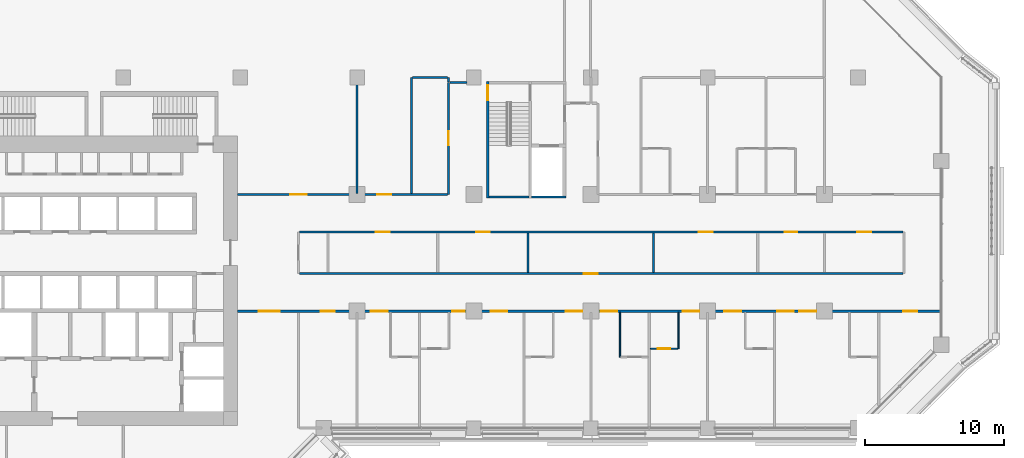
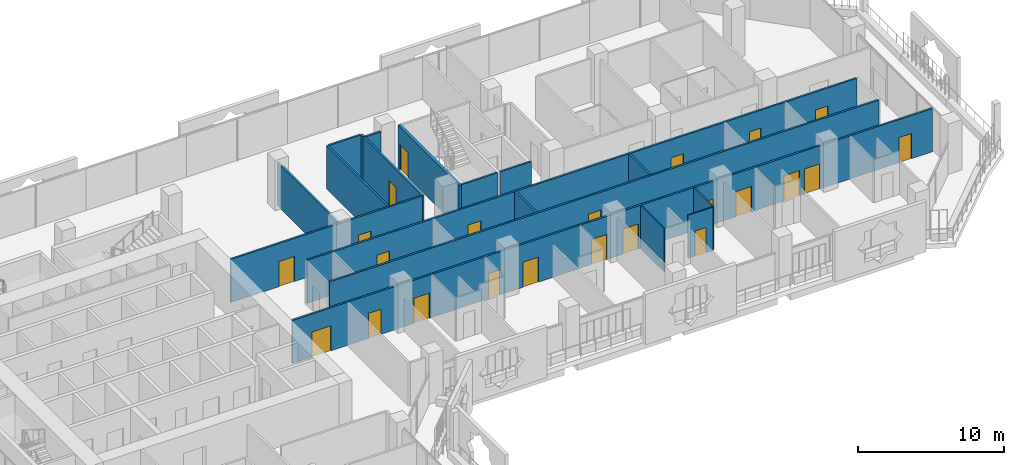
# One storey, part 16 of 25: 23 doors, 18 walls, 23 openings.
"""IFC4 building model written with IfcOpenShell, lengths in metres."""

from ifc_helpers import new_model, si_unit, direction, frame, frame_2d, origin, place, context, subcontext, project, spatial, rectangle, extrude, material, layer, layer_set, type_object, element, fill, save


model = new_model("IFC4")

# Units and contexts
model_context = context("Model", 3, precision=1e-05, world=origin(), true_north=direction((0.0, 1.0)))
body_context = subcontext(model_context, "Body", "Model", "MODEL_VIEW")
ifc_project = project(units=[si_unit("LENGTHUNIT", "METRE"), si_unit("AREAUNIT", "SQUARE_METRE"), si_unit("VOLUMEUNIT", "CUBIC_METRE"), si_unit("PLANEANGLEUNIT", "RADIAN"), si_unit("MASSUNIT", "GRAM", prefix="KILO")], contexts=[model_context])

# Site, building, storey
site_placement = place(None, origin())
site = spatial("IfcSite", under=ifc_project, at=site_placement, CompositionType="ELEMENT")
building_placement = place(site_placement, origin())
building = spatial("IfcBuilding", under=site, at=building_placement, Name="Kawkab Arch Medical Tower", CompositionType="ELEMENT")
storey_placement = place(building_placement, frame((0.0, 0.0, 132.39990234375)))
storey = spatial("IfcBuildingStorey", under=building, at=storey_placement, Name="L30", CompositionType="ELEMENT", Elevation=132.39990234375)

# Wall, opening, door
ifc_material_1 = material(Name="Gypsum board partition on steel studs", Category="steel")
ifc_layer_1 = layer(ifc_material_1, 0.10009765625)
ifc_layer_set_1 = layer_set([ifc_layer_1], Name="Gypsum board partition on steel studs")
wall_type_1 = type_object("IfcWallType", Name="Partition 100", PredefinedType="PARTITIONING", material=ifc_layer_set_1)
wall_1_placement = place(storey_placement, frame((54.675048828125, -19.5, 0.0), z_axis=(0.0, 0.0, 1.0), x_axis=(1.0, 0.0, 0.0)))
wall_1 = element("IfcWall", 1, at=wall_1_placement, inside=storey, type_object=wall_type_1, Name="Partition 100 w011", PredefinedType="PARTITIONING", context=body_context, shape_type="SweptSolid", body=[
    extrude(rectangle(XDim=1.974853515625, YDim=0.10009765625, at=frame_2d((0.9873046875, 0.0))), origin(), (0.0, 0.0, 1.0), 3.60009765625),
])
opening_1_placement = place(wall_1_placement, frame((0.52490234375, 0.0, 0.0)))
opening_1 = element("IfcOpeningElement", 2, at=opening_1_placement, cuts=wall_1, Name="Opening W25-013", PredefinedType="OPENING", context=body_context, shape_type="SweptSolid", body=[
    extrude(rectangle(XDim=0.89990234375, YDim=2.10009765625, at=frame_2d((0.449951171875, 1.050048828125))), frame((0.0, 0.06005859375, 0.0), z_axis=(0.0, -1.0, 0.0), x_axis=(1.0, 0.0, 0.0)), (0.0, 0.0, 1.0), 0.1201171875),
])
ifc_material_2 = material(Name="Timber door leaf", Category="wood")
door_type_1 = type_object("IfcDoorType", Name="Single door 900x2100", OperationType="NOTDEFINED", PredefinedType="DOOR", material=ifc_material_2)
door_1_placement = place(opening_1_placement, origin())
door_1 = element("IfcDoor", 3, at=door_1_placement, inside=storey, type_object=door_type_1, Name="Door W25-013", OperationType="SINGLE_SWING_LEFT", OverallHeight=2.10009765625, OverallWidth=0.89990234375, PredefinedType="DOOR", context=body_context, shape_type="SweptSolid", body=[
    extrude(rectangle(XDim=0.89990234375, YDim=2.10009765625, at=frame_2d((0.449951171875, 1.050048828125))), frame((0.0, 0.02490234375, 0.0), z_axis=(0.0, -1.0, 0.0), x_axis=(1.0, 0.0, 0.0)), (0.0, 0.0, 1.0), 0.050048828125),
])
fill(opening_1, door_1)

# Walls
wall_2_placement = place(storey_placement, frame((52.5, -20.10009765625, 0.0), z_axis=(0.0, 0.0, 1.0), x_axis=(0.0, 1.0, 0.0)))
element("IfcWall", 4, at=wall_2_placement, inside=storey, type_object=wall_type_1, Name="Partition 100 w021", PredefinedType="PARTITIONING", context=body_context, shape_type="SweptSolid", body=[
    extrude(rectangle(XDim=3.22509765625, YDim=0.10009765625, at=frame_2d((1.612548828125, 0.0))), origin(), (0.0, 0.0, 1.0), 3.60009765625),
])
wall_3_placement = place(storey_placement, frame((56.699951171875, -19.5, 0.0), z_axis=(0.0, 0.0, 1.0), x_axis=(0.0, 1.0, 0.0)))
element("IfcWall", 5, at=wall_3_placement, inside=storey, type_object=wall_type_1, Name="Partition 100 w023", PredefinedType="PARTITIONING", context=body_context, shape_type="SweptSolid", body=[
    extrude(rectangle(XDim=2.625, YDim=0.10009765625, at=frame_2d((1.3125, 0.0))), origin(), (0.0, 0.0, 1.0), 3.60009765625),
])

# Wall, openings, doors
ifc_material_3 = material(Name="Gypsum board partition on steel studs, mineral wool", Category="steel")
ifc_layer_2 = layer(ifc_material_3, 0.14990234375)
ifc_layer_set_2 = layer_set([ifc_layer_2], Name="Gypsum board partition on steel studs, mineral wool")
wall_type_2 = type_object("IfcWallType", Name="Partition 150", PredefinedType="PARTITIONING", material=ifc_layer_set_2)
wall_4_placement = place(storey_placement, frame((25.0, -16.800048828125, 0.0), z_axis=(0.0, 0.0, 1.0), x_axis=(1.0, 0.0, 0.0)))
wall_4 = element("IfcWall", 6, at=wall_4_placement, inside=storey, type_object=wall_type_2, Name="Partition 150 w043", PredefinedType="PARTITIONING", context=body_context, shape_type="SweptSolid", body=[
    extrude(rectangle(XDim=50.52001953125, YDim=0.14990234375, at=frame_2d((25.260009765625, 0.0))), origin(), (0.0, 0.0, 1.0), 3.60009765625),
])
opening_2_placement = place(wall_4_placement, frame((1.550048828125, 0.0, 0.0)))
opening_2 = element("IfcOpeningElement", 7, at=opening_2_placement, cuts=wall_4, Name="Opening W25-001", PredefinedType="OPENING", context=body_context, shape_type="SweptSolid", body=[
    extrude(rectangle(XDim=1.5, YDim=2.10009765625, at=frame_2d((0.75, 1.050048828125))), frame((0.0, 0.0849609375, 0.0), z_axis=(0.0, -1.0, 0.0), x_axis=(1.0, 0.0, 0.0)), (0.0, 0.0, 1.0), 0.169921875),
])
opening_3_placement = place(wall_4_placement, frame((6.0, 0.0, 0.0)))
opening_3 = element("IfcOpeningElement", 8, at=opening_3_placement, cuts=wall_4, Name="Opening W25-031", PredefinedType="OPENING", context=body_context, shape_type="SweptSolid", body=[
    extrude(rectangle(XDim=1.0, YDim=2.10009765625, at=frame_2d((0.5, 1.050048828125))), frame((0.0, 0.0849609375, 0.0), z_axis=(0.0, -1.0, 0.0), x_axis=(1.0, 0.0, 0.0)), (0.0, 0.0, 1.0), 0.169921875),
])
opening_4_placement = place(wall_4_placement, frame((9.60009765625, 0.0, 0.0)))
opening_4 = element("IfcOpeningElement", 9, at=opening_4_placement, cuts=wall_4, Name="Opening W25-043", PredefinedType="OPENING", context=body_context, shape_type="SweptSolid", body=[
    extrude(rectangle(XDim=1.199951171875, YDim=2.10009765625, at=frame_2d((0.60009765625, 1.050048828125))), frame((0.0, 0.0849609375, 0.0), z_axis=(0.0, -1.0, 0.0), x_axis=(1.0, 0.0, 0.0)), (0.0, 0.0, 1.0), 0.169921875),
])
opening_5_placement = place(wall_4_placement, frame((18.199951171875, 0.0, 0.0)))
opening_5 = element("IfcOpeningElement", 10, at=opening_5_placement, cuts=wall_4, Name="Opening W25-044", PredefinedType="OPENING", context=body_context, shape_type="SweptSolid", body=[
    extrude(rectangle(XDim=1.199951171875, YDim=2.10009765625, at=frame_2d((0.60009765625, 1.050048828125))), frame((0.0, 0.0849609375, 0.0), z_axis=(0.0, -1.0, 0.0), x_axis=(1.0, 0.0, 0.0)), (0.0, 0.0, 1.0), 0.169921875),
])
opening_6_placement = place(wall_4_placement, frame((15.449951171875, 0.0, 0.0)))
opening_6 = element("IfcOpeningElement", 11, at=opening_6_placement, cuts=wall_4, Name="Opening W25-021", PredefinedType="OPENING", context=body_context, shape_type="SweptSolid", body=[
    extrude(rectangle(XDim=0.89990234375, YDim=2.10009765625, at=frame_2d((0.449951171875, 1.050048828125))), frame((0.0, 0.0849609375, 0.0), z_axis=(0.0, -1.0, 0.0), x_axis=(1.0, 0.0, 0.0)), (0.0, 0.0, 1.0), 0.169921875),
])
opening_7_placement = place(wall_4_placement, frame((23.60009765625, 0.0, 0.0)))
opening_7 = element("IfcOpeningElement", 12, at=opening_7_placement, cuts=wall_4, Name="Opening W25-045", PredefinedType="OPENING", context=body_context, shape_type="SweptSolid", body=[
    extrude(rectangle(XDim=1.199951171875, YDim=2.10009765625, at=frame_2d((0.60009765625, 1.050048828125))), frame((0.0, 0.0849609375, 0.0), z_axis=(0.0, -1.0, 0.0), x_axis=(1.0, 0.0, 0.0)), (0.0, 0.0, 1.0), 0.169921875),
])
opening_8_placement = place(wall_4_placement, frame((26.10009765625, 0.0, 0.0)))
opening_8 = element("IfcOpeningElement", 13, at=opening_8_placement, cuts=wall_4, Name="Opening W25-046", PredefinedType="OPENING", context=body_context, shape_type="SweptSolid", body=[
    extrude(rectangle(XDim=1.199951171875, YDim=2.10009765625, at=frame_2d((0.60009765625, 1.050048828125))), frame((0.0, 0.0849609375, 0.0), z_axis=(0.0, -1.0, 0.0), x_axis=(1.0, 0.0, 0.0)), (0.0, 0.0, 1.0), 0.169921875),
])
opening_9_placement = place(wall_4_placement, frame((32.0, 0.0, 0.0)))
opening_9 = element("IfcOpeningElement", 14, at=opening_9_placement, cuts=wall_4, Name="Opening W25-047", PredefinedType="OPENING", context=body_context, shape_type="SweptSolid", body=[
    extrude(rectangle(XDim=1.199951171875, YDim=2.10009765625, at=frame_2d((0.60009765625, 1.050048828125))), frame((0.0, 0.0849609375, 0.0), z_axis=(0.0, -1.0, 0.0), x_axis=(1.0, 0.0, 0.0)), (0.0, 0.0, 1.0), 0.169921875),
])
opening_10_placement = place(wall_4_placement, frame((35.0, 0.0, 0.0)))
opening_10 = element("IfcOpeningElement", 15, at=opening_10_placement, cuts=wall_4, Name="Opening W25-048", PredefinedType="OPENING", context=body_context, shape_type="SweptSolid", body=[
    extrude(rectangle(XDim=1.199951171875, YDim=2.10009765625, at=frame_2d((0.60009765625, 1.050048828125))), frame((0.0, 0.0849609375, 0.0), z_axis=(0.0, -1.0, 0.0), x_axis=(1.0, 0.0, 0.0)), (0.0, 0.0, 1.0), 0.169921875),
])
opening_11_placement = place(wall_4_placement, frame((40.39990234375, 0.0, 0.0)))
opening_11 = element("IfcOpeningElement", 16, at=opening_11_placement, cuts=wall_4, Name="Opening W25-049", PredefinedType="OPENING", context=body_context, shape_type="SweptSolid", body=[
    extrude(rectangle(XDim=1.199951171875, YDim=2.10009765625, at=frame_2d((0.60009765625, 1.050048828125))), frame((0.0, 0.0849609375, 0.0), z_axis=(0.0, -1.0, 0.0), x_axis=(1.0, 0.0, 0.0)), (0.0, 0.0, 1.0), 0.169921875),
])
opening_12_placement = place(wall_4_placement, frame((38.800048828125, 0.0, 0.0)))
opening_12 = element("IfcOpeningElement", 17, at=opening_12_placement, cuts=wall_4, Name="Opening W25-050", PredefinedType="OPENING", context=body_context, shape_type="SweptSolid", body=[
    extrude(rectangle(XDim=1.199951171875, YDim=2.10009765625, at=frame_2d((0.60009765625, 1.050048828125))), frame((0.0, 0.0849609375, 0.0), z_axis=(0.0, -1.0, 0.0), x_axis=(1.0, 0.0, 0.0)), (0.0, 0.0, 1.0), 0.169921875),
])
opening_13_placement = place(wall_4_placement, frame((47.85009765625, 0.0, 0.0)))
opening_13 = element("IfcOpeningElement", 18, at=opening_13_placement, cuts=wall_4, Name="Opening W25-032", PredefinedType="OPENING", context=body_context, shape_type="SweptSolid", body=[
    extrude(rectangle(XDim=1.0, YDim=2.10009765625, at=frame_2d((0.5, 1.050048828125))), frame((0.0, 0.0849609375, 0.0), z_axis=(0.0, -1.0, 0.0), x_axis=(1.0, 0.0, 0.0)), (0.0, 0.0, 1.0), 0.169921875),
])
ifc_material_4 = material(Name="Hollow metal door leaf")
door_type_2 = type_object("IfcDoorType", Name="Double door 1500x2100 FD30S", OperationType="NOTDEFINED", PredefinedType="DOOR", material=ifc_material_4)
door_2_placement = place(opening_2_placement, origin())
door_2 = element("IfcDoor", 19, at=door_2_placement, inside=storey, type_object=door_type_2, Name="Door W25-001", OperationType="DOUBLE_DOOR_SINGLE_SWING", OverallHeight=2.10009765625, OverallWidth=1.5, PredefinedType="DOOR", context=body_context, shape_type="SweptSolid", body=[
    extrude(rectangle(XDim=1.5, YDim=2.10009765625, at=frame_2d((0.75, 1.050048828125))), frame((0.0, 0.02490234375, 0.0), z_axis=(0.0, -1.0, 0.0), x_axis=(1.0, 0.0, 0.0)), (0.0, 0.0, 1.0), 0.050048828125),
])
fill(opening_2, door_2)
ifc_material_5 = material(Name="Hollow metal door leaf")
door_type_3 = type_object("IfcDoorType", Name="Single door 1000x2100 FD30S", OperationType="NOTDEFINED", PredefinedType="DOOR", material=ifc_material_5)
door_3_placement = place(opening_3_placement, origin())
door_3 = element("IfcDoor", 20, at=door_3_placement, inside=storey, type_object=door_type_3, Name="Door W25-031", OperationType="SINGLE_SWING_RIGHT", OverallHeight=2.10009765625, OverallWidth=1.0, PredefinedType="DOOR", context=body_context, shape_type="SweptSolid", body=[
    extrude(rectangle(XDim=1.0, YDim=2.10009765625, at=frame_2d((0.5, 1.050048828125))), frame((0.0, 0.02490234375, 0.0), z_axis=(0.0, -1.0, 0.0), x_axis=(1.0, 0.0, 0.0)), (0.0, 0.0, 1.0), 0.050048828125),
])
fill(opening_3, door_3)
door_4_placement = place(opening_13_placement, origin())
door_4 = element("IfcDoor", 21, at=door_4_placement, inside=storey, type_object=door_type_3, Name="Door W25-032", OperationType="SINGLE_SWING_LEFT", OverallHeight=2.10009765625, OverallWidth=1.0, PredefinedType="DOOR", context=body_context, shape_type="SweptSolid", body=[
    extrude(rectangle(XDim=1.0, YDim=2.10009765625, at=frame_2d((0.5, 1.050048828125))), frame((0.0, 0.02490234375, 0.0), z_axis=(0.0, -1.0, 0.0), x_axis=(1.0, 0.0, 0.0)), (0.0, 0.0, 1.0), 0.050048828125),
])
fill(opening_13, door_4)
ifc_material_6 = material(Name="Hollow metal door leaf")
door_type_4 = type_object("IfcDoorType", Name="Single door 1200x2100 FD30S", OperationType="NOTDEFINED", PredefinedType="DOOR", material=ifc_material_6)
door_5_placement = place(opening_4_placement, origin())
door_5 = element("IfcDoor", 22, at=door_5_placement, inside=storey, type_object=door_type_4, Name="Door W25-043", OperationType="SINGLE_SWING_RIGHT", OverallHeight=2.10009765625, OverallWidth=1.199951171875, PredefinedType="DOOR", context=body_context, shape_type="SweptSolid", body=[
    extrude(rectangle(XDim=1.199951171875, YDim=2.10009765625, at=frame_2d((0.60009765625, 1.050048828125))), frame((0.0, 0.02490234375, 0.0), z_axis=(0.0, -1.0, 0.0), x_axis=(1.0, 0.0, 0.0)), (0.0, 0.0, 1.0), 0.050048828125),
])
fill(opening_4, door_5)
door_6_placement = place(opening_5_placement, origin())
door_6 = element("IfcDoor", 23, at=door_6_placement, inside=storey, type_object=door_type_4, Name="Door W25-044", OperationType="SINGLE_SWING_RIGHT", OverallHeight=2.10009765625, OverallWidth=1.199951171875, PredefinedType="DOOR", context=body_context, shape_type="SweptSolid", body=[
    extrude(rectangle(XDim=1.199951171875, YDim=2.10009765625, at=frame_2d((0.60009765625, 1.050048828125))), frame((0.0, 0.02490234375, 0.0), z_axis=(0.0, -1.0, 0.0), x_axis=(1.0, 0.0, 0.0)), (0.0, 0.0, 1.0), 0.050048828125),
])
fill(opening_5, door_6)
door_7_placement = place(opening_7_placement, origin())
door_7 = element("IfcDoor", 24, at=door_7_placement, inside=storey, type_object=door_type_4, Name="Door W25-045", OperationType="SINGLE_SWING_RIGHT", OverallHeight=2.10009765625, OverallWidth=1.199951171875, PredefinedType="DOOR", context=body_context, shape_type="SweptSolid", body=[
    extrude(rectangle(XDim=1.199951171875, YDim=2.10009765625, at=frame_2d((0.60009765625, 1.050048828125))), frame((0.0, 0.02490234375, 0.0), z_axis=(0.0, -1.0, 0.0), x_axis=(1.0, 0.0, 0.0)), (0.0, 0.0, 1.0), 0.050048828125),
])
fill(opening_7, door_7)
door_8_placement = place(opening_8_placement, origin())
door_8 = element("IfcDoor", 25, at=door_8_placement, inside=storey, type_object=door_type_4, Name="Door W25-046", OperationType="SINGLE_SWING_LEFT", OverallHeight=2.10009765625, OverallWidth=1.199951171875, PredefinedType="DOOR", context=body_context, shape_type="SweptSolid", body=[
    extrude(rectangle(XDim=1.199951171875, YDim=2.10009765625, at=frame_2d((0.60009765625, 1.050048828125))), frame((0.0, 0.02490234375, 0.0), z_axis=(0.0, -1.0, 0.0), x_axis=(1.0, 0.0, 0.0)), (0.0, 0.0, 1.0), 0.050048828125),
])
fill(opening_8, door_8)
door_9_placement = place(opening_9_placement, origin())
door_9 = element("IfcDoor", 26, at=door_9_placement, inside=storey, type_object=door_type_4, Name="Door W25-047", OperationType="SINGLE_SWING_LEFT", OverallHeight=2.10009765625, OverallWidth=1.199951171875, PredefinedType="DOOR", context=body_context, shape_type="SweptSolid", body=[
    extrude(rectangle(XDim=1.199951171875, YDim=2.10009765625, at=frame_2d((0.60009765625, 1.050048828125))), frame((0.0, 0.02490234375, 0.0), z_axis=(0.0, -1.0, 0.0), x_axis=(1.0, 0.0, 0.0)), (0.0, 0.0, 1.0), 0.050048828125),
])
fill(opening_9, door_9)
door_10_placement = place(opening_10_placement, origin())
door_10 = element("IfcDoor", 27, at=door_10_placement, inside=storey, type_object=door_type_4, Name="Door W25-048", OperationType="SINGLE_SWING_LEFT", OverallHeight=2.10009765625, OverallWidth=1.199951171875, PredefinedType="DOOR", context=body_context, shape_type="SweptSolid", body=[
    extrude(rectangle(XDim=1.199951171875, YDim=2.10009765625, at=frame_2d((0.60009765625, 1.050048828125))), frame((0.0, 0.02490234375, 0.0), z_axis=(0.0, -1.0, 0.0), x_axis=(1.0, 0.0, 0.0)), (0.0, 0.0, 1.0), 0.050048828125),
])
fill(opening_10, door_10)
door_11_placement = place(opening_11_placement, origin())
door_11 = element("IfcDoor", 28, at=door_11_placement, inside=storey, type_object=door_type_4, Name="Door W25-049", OperationType="SINGLE_SWING_LEFT", OverallHeight=2.10009765625, OverallWidth=1.199951171875, PredefinedType="DOOR", context=body_context, shape_type="SweptSolid", body=[
    extrude(rectangle(XDim=1.199951171875, YDim=2.10009765625, at=frame_2d((0.60009765625, 1.050048828125))), frame((0.0, 0.02490234375, 0.0), z_axis=(0.0, -1.0, 0.0), x_axis=(1.0, 0.0, 0.0)), (0.0, 0.0, 1.0), 0.050048828125),
])
fill(opening_11, door_11)
door_12_placement = place(opening_12_placement, origin())
door_12 = element("IfcDoor", 29, at=door_12_placement, inside=storey, type_object=door_type_4, Name="Door W25-050", OperationType="SINGLE_SWING_LEFT", OverallHeight=2.10009765625, OverallWidth=1.199951171875, PredefinedType="DOOR", context=body_context, shape_type="SweptSolid", body=[
    extrude(rectangle(XDim=1.199951171875, YDim=2.10009765625, at=frame_2d((0.60009765625, 1.050048828125))), frame((0.0, 0.02490234375, 0.0), z_axis=(0.0, -1.0, 0.0), x_axis=(1.0, 0.0, 0.0)), (0.0, 0.0, 1.0), 0.050048828125),
])
fill(opening_12, door_12)
ifc_material_7 = material(Name="Hollow metal door leaf")
door_type_5 = type_object("IfcDoorType", Name="Single door 900x2100 FD30S", OperationType="NOTDEFINED", PredefinedType="DOOR", material=ifc_material_7)
door_13_placement = place(opening_6_placement, origin())
door_13 = element("IfcDoor", 30, at=door_13_placement, inside=storey, type_object=door_type_5, Name="Door W25-021", OperationType="SINGLE_SWING_RIGHT", OverallHeight=2.10009765625, OverallWidth=0.89990234375, PredefinedType="DOOR", context=body_context, shape_type="SweptSolid", body=[
    extrude(rectangle(XDim=0.89990234375, YDim=2.10009765625, at=frame_2d((0.449951171875, 1.050048828125))), frame((0.0, 0.02490234375, 0.0), z_axis=(0.0, -1.0, 0.0), x_axis=(1.0, 0.0, 0.0)), (0.0, 0.0, 1.0), 0.050048828125),
])
fill(opening_6, door_13)

# Wall, opening, door
wall_5_placement = place(storey_placement, frame((29.47509765625, -14.10009765625, 0.0), z_axis=(0.0, 0.0, 1.0), x_axis=(1.0, 0.0, 0.0)))
wall_5 = element("IfcWall", 31, at=wall_5_placement, inside=storey, type_object=wall_type_2, Name="Partition 150 w044", PredefinedType="PARTITIONING", context=body_context, shape_type="SweptSolid", body=[
    extrude(rectangle(XDim=43.349853515625, YDim=0.14990234375, at=frame_2d((21.6748046875, 0.0))), origin(), (0.0, 0.0, 1.0), 3.60009765625),
])
opening_14_placement = place(wall_5_placement, frame((20.425048828125, 0.0, 0.0)))
opening_14 = element("IfcOpeningElement", 32, at=opening_14_placement, cuts=wall_5, Name="Opening W25-028", PredefinedType="OPENING", context=body_context, shape_type="SweptSolid", body=[
    extrude(rectangle(XDim=1.0, YDim=2.10009765625, at=frame_2d((0.5, 1.050048828125))), frame((0.0, 0.0849609375, 0.0), z_axis=(0.0, -1.0, 0.0), x_axis=(1.0, 0.0, 0.0)), (0.0, 0.0, 1.0), 0.169921875),
])
door_14_placement = place(opening_14_placement, origin())
door_14 = element("IfcDoor", 33, at=door_14_placement, inside=storey, type_object=door_type_3, Name="Door W25-028", OperationType="SINGLE_SWING_LEFT", OverallHeight=2.10009765625, OverallWidth=1.0, PredefinedType="DOOR", context=body_context, shape_type="SweptSolid", body=[
    extrude(rectangle(XDim=1.0, YDim=2.10009765625, at=frame_2d((0.5, 1.050048828125))), frame((0.0, 0.02490234375, 0.0), z_axis=(0.0, -1.0, 0.0), x_axis=(1.0, 0.0, 0.0)), (0.0, 0.0, 1.0), 0.050048828125),
])
fill(opening_14, door_14)

# Wall, openings, doors
wall_6_placement = place(storey_placement, frame((29.47509765625, -11.10009765625, 0.0), z_axis=(0.0, 0.0, 1.0), x_axis=(1.0, 0.0, 0.0)))
wall_6 = element("IfcWall", 34, at=wall_6_placement, inside=storey, type_object=wall_type_2, Name="Partition 150 w045", PredefinedType="PARTITIONING", context=body_context, shape_type="SweptSolid", body=[
    extrude(rectangle(XDim=43.349853515625, YDim=0.14990234375, at=frame_2d((21.6748046875, 0.0))), origin(), (0.0, 0.0, 1.0), 3.60009765625),
])
opening_15_placement = place(wall_6_placement, frame((28.675048828125, 0.0, 0.0)))
opening_15 = element("IfcOpeningElement", 35, at=opening_15_placement, cuts=wall_6, Name="Opening W25-029", PredefinedType="OPENING", context=body_context, shape_type="SweptSolid", body=[
    extrude(rectangle(XDim=1.0, YDim=2.10009765625, at=frame_2d((0.5, 1.050048828125))), frame((0.0, 0.0849609375, 0.0), z_axis=(0.0, -1.0, 0.0), x_axis=(1.0, 0.0, 0.0)), (0.0, 0.0, 1.0), 0.169921875),
])
opening_16_placement = place(wall_6_placement, frame((34.875, 0.0, 0.0)))
opening_16 = element("IfcOpeningElement", 36, at=opening_16_placement, cuts=wall_6, Name="Opening W25-008", PredefinedType="OPENING", context=body_context, shape_type="SweptSolid", body=[
    extrude(rectangle(XDim=0.89990234375, YDim=2.10009765625, at=frame_2d((0.449951171875, 1.050048828125))), frame((0.0, 0.0849609375, 0.0), z_axis=(0.0, -1.0, 0.0), x_axis=(1.0, 0.0, 0.0)), (0.0, 0.0, 1.0), 0.169921875),
])
opening_17_placement = place(wall_6_placement, frame((40.074951171875, 0.0, 0.0)))
opening_17 = element("IfcOpeningElement", 37, at=opening_17_placement, cuts=wall_6, Name="Opening W25-030", PredefinedType="OPENING", context=body_context, shape_type="SweptSolid", body=[
    extrude(rectangle(XDim=1.0, YDim=2.10009765625, at=frame_2d((0.5, 1.050048828125))), frame((0.0, 0.0849609375, 0.0), z_axis=(0.0, -1.0, 0.0), x_axis=(1.0, 0.0, 0.0)), (0.0, 0.0, 1.0), 0.169921875),
])
opening_18_placement = place(wall_6_placement, frame((5.47509765625, 0.0, 0.0)))
opening_18 = element("IfcOpeningElement", 38, at=opening_18_placement, cuts=wall_6, Name="Opening W25-037", PredefinedType="OPENING", context=body_context, shape_type="SweptSolid", body=[
    extrude(rectangle(XDim=1.0, YDim=2.10009765625, at=frame_2d((0.5, 1.050048828125))), frame((0.0, 0.0849609375, 0.0), z_axis=(0.0, -1.0, 0.0), x_axis=(1.0, 0.0, 0.0)), (0.0, 0.0, 1.0), 0.169921875),
])
opening_19_placement = place(wall_6_placement, frame((12.675048828125, 0.0, 0.0)))
opening_19 = element("IfcOpeningElement", 39, at=opening_19_placement, cuts=wall_6, Name="Opening W25-038", PredefinedType="OPENING", context=body_context, shape_type="SweptSolid", body=[
    extrude(rectangle(XDim=1.0, YDim=2.10009765625, at=frame_2d((0.5, 1.050048828125))), frame((0.0, 0.0849609375, 0.0), z_axis=(0.0, -1.0, 0.0), x_axis=(1.0, 0.0, 0.0)), (0.0, 0.0, 1.0), 0.169921875),
])
door_15_placement = place(opening_15_placement, origin())
door_15 = element("IfcDoor", 40, at=door_15_placement, inside=storey, type_object=door_type_3, Name="Door W25-029", OperationType="SINGLE_SWING_LEFT", OverallHeight=2.10009765625, OverallWidth=1.0, PredefinedType="DOOR", context=body_context, shape_type="SweptSolid", body=[
    extrude(rectangle(XDim=1.0, YDim=2.10009765625, at=frame_2d((0.5, 1.050048828125))), frame((0.0, 0.02490234375, 0.0), z_axis=(0.0, -1.0, 0.0), x_axis=(1.0, 0.0, 0.0)), (0.0, 0.0, 1.0), 0.050048828125),
])
fill(opening_15, door_15)
door_16_placement = place(opening_17_placement, origin())
door_16 = element("IfcDoor", 41, at=door_16_placement, inside=storey, type_object=door_type_3, Name="Door W25-030", OperationType="SINGLE_SWING_LEFT", OverallHeight=2.10009765625, OverallWidth=1.0, PredefinedType="DOOR", context=body_context, shape_type="SweptSolid", body=[
    extrude(rectangle(XDim=1.0, YDim=2.10009765625, at=frame_2d((0.5, 1.050048828125))), frame((0.0, 0.02490234375, 0.0), z_axis=(0.0, -1.0, 0.0), x_axis=(1.0, 0.0, 0.0)), (0.0, 0.0, 1.0), 0.050048828125),
])
fill(opening_17, door_16)
door_17_placement = place(opening_18_placement, origin())
door_17 = element("IfcDoor", 42, at=door_17_placement, inside=storey, type_object=door_type_3, Name="Door W25-037", OperationType="SINGLE_SWING_RIGHT", OverallHeight=2.10009765625, OverallWidth=1.0, PredefinedType="DOOR", context=body_context, shape_type="SweptSolid", body=[
    extrude(rectangle(XDim=1.0, YDim=2.10009765625, at=frame_2d((0.5, 1.050048828125))), frame((0.0, 0.02490234375, 0.0), z_axis=(0.0, -1.0, 0.0), x_axis=(1.0, 0.0, 0.0)), (0.0, 0.0, 1.0), 0.050048828125),
])
fill(opening_18, door_17)
door_18_placement = place(opening_19_placement, origin())
door_18 = element("IfcDoor", 43, at=door_18_placement, inside=storey, type_object=door_type_3, Name="Door W25-038", OperationType="SINGLE_SWING_RIGHT", OverallHeight=2.10009765625, OverallWidth=1.0, PredefinedType="DOOR", context=body_context, shape_type="SweptSolid", body=[
    extrude(rectangle(XDim=1.0, YDim=2.10009765625, at=frame_2d((0.5, 1.050048828125))), frame((0.0, 0.02490234375, 0.0), z_axis=(0.0, -1.0, 0.0), x_axis=(1.0, 0.0, 0.0)), (0.0, 0.0, 1.0), 0.050048828125),
])
fill(opening_19, door_18)
door_19_placement = place(opening_16_placement, origin())
door_19 = element("IfcDoor", 44, at=door_19_placement, inside=storey, type_object=door_type_1, Name="Door W25-008", OperationType="SINGLE_SWING_LEFT", OverallHeight=2.10009765625, OverallWidth=0.89990234375, PredefinedType="DOOR", context=body_context, shape_type="SweptSolid", body=[
    extrude(rectangle(XDim=0.89990234375, YDim=2.10009765625, at=frame_2d((0.449951171875, 1.050048828125))), frame((0.0, 0.02490234375, 0.0), z_axis=(0.0, -1.0, 0.0), x_axis=(1.0, 0.0, 0.0)), (0.0, 0.0, 1.0), 0.050048828125),
])
fill(opening_16, door_19)

wall_7_placement = place(storey_placement, frame((25.0, -8.39990234375, 0.0), z_axis=(0.0, 0.0, 1.0), x_axis=(1.0, 0.0, 0.0)))
wall_7 = element("IfcWall", 45, at=wall_7_placement, inside=storey, type_object=wall_type_2, Name="Partition 150 w046", PredefinedType="PARTITIONING", context=body_context, shape_type="SweptSolid", body=[
    extrude(rectangle(XDim=15.10693359375, YDim=0.14990234375, at=frame_2d((7.553466796875, 0.0))), origin(), (0.0, 0.0, 1.0), 3.60009765625),
])
opening_20_placement = place(wall_7_placement, frame((3.800048828125, 0.0, 0.0)))
opening_20 = element("IfcOpeningElement", 46, at=opening_20_placement, cuts=wall_7, Name="Opening W25-039", PredefinedType="OPENING", context=body_context, shape_type="SweptSolid", body=[
    extrude(rectangle(XDim=1.199951171875, YDim=2.10009765625, at=frame_2d((0.60009765625, 1.050048828125))), frame((0.0, 0.0849609375, 0.0), z_axis=(0.0, -1.0, 0.0), x_axis=(1.0, 0.0, 0.0)), (0.0, 0.0, 1.0), 0.169921875),
])
opening_21_placement = place(wall_7_placement, frame((10.050048828125, 0.0, 0.0)))
opening_21 = element("IfcOpeningElement", 47, at=opening_21_placement, cuts=wall_7, Name="Opening W25-024", PredefinedType="OPENING", context=body_context, shape_type="SweptSolid", body=[
    extrude(rectangle(XDim=1.0, YDim=2.10009765625, at=frame_2d((0.5, 1.050048828125))), frame((0.0, 0.0849609375, 0.0), z_axis=(0.0, -1.0, 0.0), x_axis=(1.0, 0.0, 0.0)), (0.0, 0.0, 1.0), 0.169921875),
])
door_20_placement = place(opening_21_placement, origin())
door_20 = element("IfcDoor", 48, at=door_20_placement, inside=storey, type_object=door_type_3, Name="Door W25-024", OperationType="SINGLE_SWING_RIGHT", OverallHeight=2.10009765625, OverallWidth=1.0, PredefinedType="DOOR", context=body_context, shape_type="SweptSolid", body=[
    extrude(rectangle(XDim=1.0, YDim=2.10009765625, at=frame_2d((0.5, 1.050048828125))), frame((0.0, 0.02490234375, 0.0), z_axis=(0.0, -1.0, 0.0), x_axis=(1.0, 0.0, 0.0)), (0.0, 0.0, 1.0), 0.050048828125),
])
fill(opening_21, door_20)
door_21_placement = place(opening_20_placement, origin())
door_21 = element("IfcDoor", 49, at=door_21_placement, inside=storey, type_object=door_type_4, Name="Door W25-039", OperationType="SINGLE_SWING_LEFT", OverallHeight=2.10009765625, OverallWidth=1.199951171875, PredefinedType="DOOR", context=body_context, shape_type="SweptSolid", body=[
    extrude(rectangle(XDim=1.199951171875, YDim=2.10009765625, at=frame_2d((0.60009765625, 1.050048828125))), frame((0.0, 0.02490234375, 0.0), z_axis=(0.0, -1.0, 0.0), x_axis=(1.0, 0.0, 0.0)), (0.0, 0.0, 1.0), 0.050048828125),
])
fill(opening_20, door_21)

# Walls
wall_8_placement = place(storey_placement, frame((40.277099609375, -0.35009765625, 0.0), z_axis=(0.0, 0.0, 1.0), x_axis=(1.0, 0.0, 0.0)))
element("IfcWall", 50, at=wall_8_placement, inside=storey, type_object=wall_type_2, Name="Partition 150 w050", PredefinedType="PARTITIONING", context=body_context, shape_type="SweptSolid", body=[
    extrude(rectangle(XDim=1.2109375, YDim=0.14990234375, at=frame_2d((0.60546875, 0.0))), origin(), (0.0, 0.0, 1.0), 3.60009765625),
])
wall_9_placement = place(storey_placement, frame((37.577880859375, 0.0, 0.0), z_axis=(0.0, 0.0, 1.0), x_axis=(1.0, 0.0, 0.0)))
element("IfcWall", 51, at=wall_9_placement, inside=storey, type_object=wall_type_2, Name="Partition 150 w051", PredefinedType="PARTITIONING", context=body_context, shape_type="SweptSolid", body=[
    extrude(rectangle(XDim=2.527099609375, YDim=0.14990234375, at=frame_2d((1.263671875, 0.0))), origin(), (0.0, 0.0, 1.0), 3.60009765625),
])
for number, where, z_axis, x_axis, name in (
    (52, (33.60009765625, -8.324951171875, 0.0), (0.0, 0.0, 1.0), (0.0, 1.0, 0.0), "Partition 150 w066"),
    (53, (37.5, -8.324951171875, 0.0), (0.0, 0.0, 1.0), (0.0, 1.0, 0.0), "Partition 150 w067"),
):
    element("IfcWall", number, at=place(storey_placement, frame(where, z_axis=z_axis, x_axis=x_axis)), inside=storey, type_object=wall_type_2, Name=name, PredefinedType="PARTITIONING", context=body_context, shape_type="SweptSolid", body=[
        extrude(rectangle(XDim=8.322021484375, YDim=0.14990234375, at=frame_2d((4.1611328125, 0.0))), origin(), (0.0, 0.0, 1.0), 3.60009765625),
    ])

# Wall, opening, door
wall_10_placement = place(storey_placement, frame((40.181884765625, -8.39990234375, 0.0), z_axis=(0.0, 0.0, 1.0), x_axis=(0.0, 1.0, 0.0)))
wall_10 = element("IfcWall", 54, at=wall_10_placement, inside=storey, type_object=wall_type_2, Name="Partition 150 w070", PredefinedType="PARTITIONING", context=body_context, shape_type="SweptSolid", body=[
    extrude(rectangle(XDim=8.0498046875, YDim=0.14990234375, at=frame_2d((4.02490234375, 0.0))), origin(), (0.0, 0.0, 1.0), 3.60009765625),
])
opening_22_placement = place(wall_10_placement, frame((3.52490234375, 0.0, 0.0)))
opening_22 = element("IfcOpeningElement", 55, at=opening_22_placement, cuts=wall_10, Name="Opening W25-025", PredefinedType="OPENING", context=body_context, shape_type="SweptSolid", body=[
    extrude(rectangle(XDim=1.0, YDim=2.10009765625, at=frame_2d((0.5, 1.050048828125))), frame((0.0, 0.0849609375, 0.0), z_axis=(0.0, -1.0, 0.0), x_axis=(1.0, 0.0, 0.0)), (0.0, 0.0, 1.0), 0.169921875),
])
door_22_placement = place(opening_22_placement, origin())
door_22 = element("IfcDoor", 56, at=door_22_placement, inside=storey, type_object=door_type_3, Name="Door W25-025", OperationType="SINGLE_SWING_LEFT", OverallHeight=2.10009765625, OverallWidth=1.0, PredefinedType="DOOR", context=body_context, shape_type="SweptSolid", body=[
    extrude(rectangle(XDim=1.0, YDim=2.10009765625, at=frame_2d((0.5, 1.050048828125))), frame((0.0, 0.02490234375, 0.0), z_axis=(0.0, -1.0, 0.0), x_axis=(1.0, 0.0, 0.0)), (0.0, 0.0, 1.0), 0.050048828125),
])
fill(opening_22, door_22)

# Walls
wall_11_placement = place(storey_placement, frame((40.181884765625, -0.330078125, 0.0), z_axis=(0.0, 0.0, 1.0), x_axis=(0.0, 1.0, 0.0)))
element("IfcWall", 57, at=wall_11_placement, inside=storey, type_object=wall_type_2, Name="Partition 150 w071", PredefinedType="PARTITIONING", context=body_context, shape_type="SweptSolid", body=[
    extrude(rectangle(XDim=0.328125, YDim=0.14990234375, at=frame_2d((0.1640625, 0.0))), origin(), (0.0, 0.0, 1.0), 3.60009765625),
])
for number, where, z_axis, x_axis, name in (
    (58, (45.89990234375, -14.02490234375, 0.0), (0.0, 0.0, 1.0), (0.0, 1.0, 0.0), "Partition 150 w073"),
    (59, (54.89990234375, -14.02490234375, 0.0), (0.0, 0.0, 1.0), (0.0, 1.0, 0.0), "Partition 150 w081"),
):
    element("IfcWall", number, at=place(storey_placement, frame(where, z_axis=z_axis, x_axis=x_axis)), inside=storey, type_object=wall_type_2, Name=name, PredefinedType="PARTITIONING", context=body_context, shape_type="SweptSolid", body=[
        extrude(rectangle(XDim=2.849853515625, YDim=0.14990234375, at=frame_2d((1.4248046875, 0.0))), origin(), (0.0, 0.0, 1.0), 3.60009765625),
    ])
ifc_material_8 = material(Name="Concrete C50/60", Category="concrete")
ifc_layer_3 = layer(ifc_material_8, 0.14990234375)
ifc_layer_set_3 = layer_set([ifc_layer_3], Name="Concrete C50/60")
wall_type_3 = type_object("IfcWallType", Name="Stair enclosure wall 150 C50/60", PredefinedType="SHEAR", material=ifc_layer_set_3)
wall_12_placement = place(storey_placement, frame((43.10009765625, -8.574951171875, 0.0), z_axis=(0.0, 0.0, 1.0), x_axis=(1.0, 0.0, 0.0)))
element("IfcWall", 60, at=wall_12_placement, inside=storey, type_object=wall_type_3, Name="L30 stair enclosure wall", PredefinedType="SHEAR", context=body_context, shape_type="SweptSolid", body=[
    extrude(rectangle(XDim=2.849853515625, YDim=0.14990234375, at=frame_2d((1.4248046875, 0.0))), origin(), (0.0, 0.0, 1.0), 3.60009765625),
])
wall_13_placement = place(storey_placement, frame((46.14990234375, -8.574951171875, 0.0), z_axis=(0.0, 0.0, 1.0), x_axis=(1.0, 0.0, 0.0)))
element("IfcWall", 61, at=wall_13_placement, inside=storey, type_object=wall_type_3, Name="L30 stair enclosure wall", PredefinedType="SHEAR", context=body_context, shape_type="SweptSolid", body=[
    extrude(rectangle(XDim=2.4501953125, YDim=0.14990234375, at=frame_2d((1.22509765625, 0.0))), origin(), (0.0, 0.0, 1.0), 3.60009765625),
])

# Wall, opening, door
ifc_material_9 = material(Name="Concrete C50/60", Category="concrete")
ifc_layer_4 = layer(ifc_material_9, 0.199951171875)
ifc_layer_set_4 = layer_set([ifc_layer_4], Name="Concrete C50/60")
wall_type_4 = type_object("IfcWallType", Name="Stair enclosure wall 200 C50/60", PredefinedType="SHEAR", material=ifc_layer_set_4)
wall_14_placement = place(storey_placement, frame((43.0, -8.64990234375, 0.0), z_axis=(0.0, 0.0, 1.0), x_axis=(0.0, 1.0, 0.0)))
wall_14 = element("IfcWall", 62, at=wall_14_placement, inside=storey, type_object=wall_type_4, Name="L30 stair enclosure wall", PredefinedType="SHEAR", context=body_context, shape_type="SweptSolid", body=[
    extrude(rectangle(XDim=8.349853515625, YDim=0.199951171875, at=frame_2d((4.1748046875, 0.0))), origin(), (0.0, 0.0, 1.0), 3.60009765625),
])
opening_23_placement = place(wall_14_placement, frame((7.0, 0.0, 0.0)))
opening_23 = element("IfcOpeningElement", 63, at=opening_23_placement, cuts=wall_14, Name="Opening SD", PredefinedType="OPENING", context=body_context, shape_type="SweptSolid", body=[
    extrude(rectangle(XDim=1.10009765625, YDim=2.10009765625, at=frame_2d((0.550048828125, 1.050048828125))), frame((0.0, 0.10986328125, 0.0), z_axis=(0.0, -1.0, 0.0), x_axis=(1.0, 0.0, 0.0)), (0.0, 0.0, 1.0), 0.219970703125),
])
ifc_material_10 = material(Name="Hollow metal fire door leaf")
door_type_6 = type_object("IfcDoorType", Name="Exit stair door 1100", OperationType="SINGLE_SWING_LEFT", PredefinedType="DOOR", material=ifc_material_10)
door_23_placement = place(opening_23_placement, frame((1.10009765625, 0.0, 0.0), z_axis=(0.0, 0.0, 1.0), x_axis=(-1.0, 0.0, 0.0)))
door_23 = element("IfcDoor", 64, at=door_23_placement, inside=storey, type_object=door_type_6, Name="L30 Exit stair ST5 door", OperationType="SINGLE_SWING_LEFT", OverallHeight=2.10009765625, OverallWidth=1.10009765625, PredefinedType="DOOR", context=body_context, shape_type="SweptSolid", body=[
    extrude(rectangle(XDim=1.10009765625, YDim=2.10009765625, at=frame_2d((0.550048828125, 1.050048828125))), frame((0.0, 0.02490234375, 0.0), z_axis=(0.0, -1.0, 0.0), x_axis=(1.0, 0.0, 0.0)), (0.0, 0.0, 1.0), 0.050048828125),
])
fill(opening_23, door_23)

save(model, "model.ifc")
